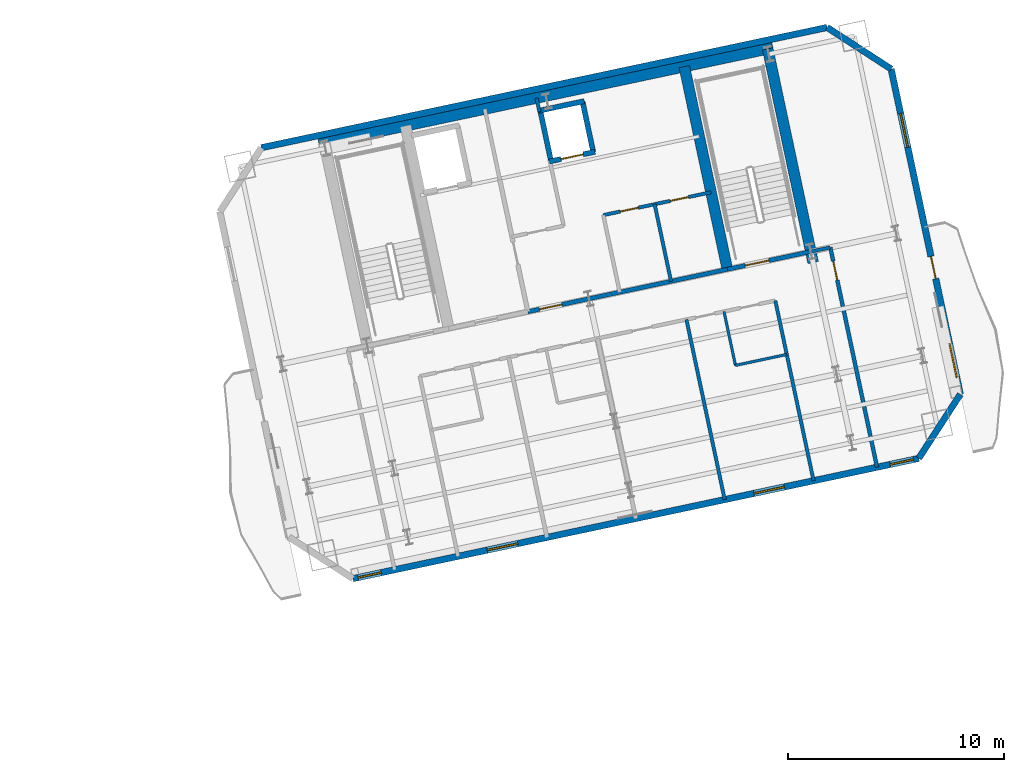
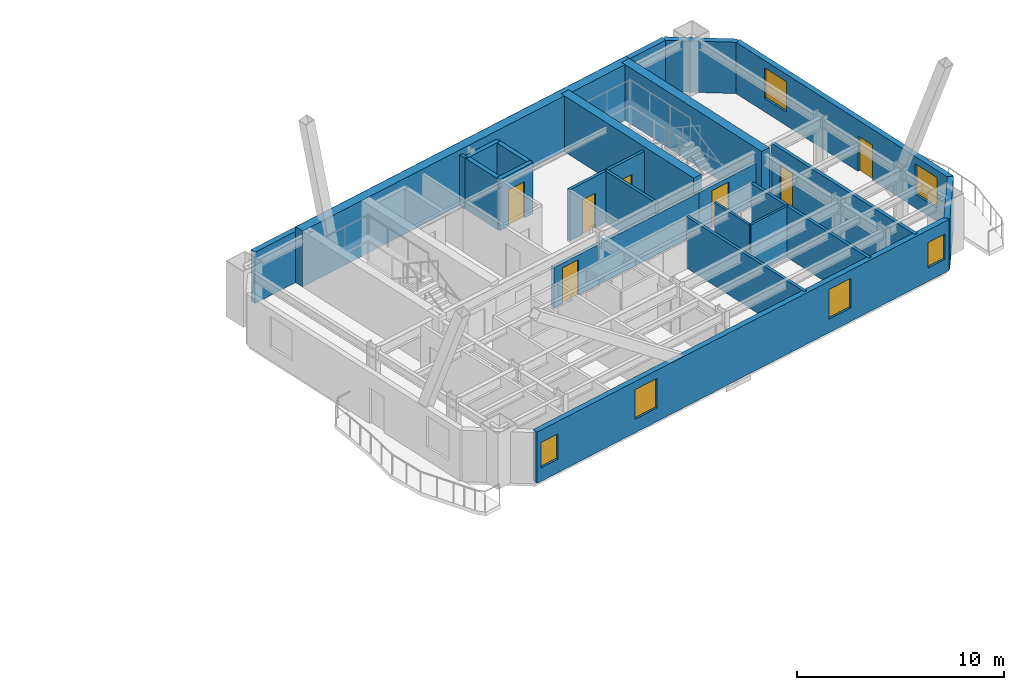
# One storey, part 8 of 13: 23 walls, 7 doors, 6 windows, 13 openings.
"""IFC4 building model written with IfcOpenShell, lengths in metres."""

from ifc_helpers import new_model, si_unit, direction, frame, frame_2d, origin, place, context, subcontext, project, spatial, rectangle, extrude, material, layer, layer_set, type_object, element, fill, save


model = new_model("IFC4")

# Units and contexts
model_context = context("Model", 3, precision=1e-05, world=origin(), true_north=direction((0.0, 1.0)))
body_context = subcontext(model_context, "Body", "Model", "MODEL_VIEW")
ifc_project = project(units=[si_unit("LENGTHUNIT", "METRE"), si_unit("AREAUNIT", "SQUARE_METRE"), si_unit("VOLUMEUNIT", "CUBIC_METRE"), si_unit("PLANEANGLEUNIT", "RADIAN"), si_unit("MASSUNIT", "GRAM", prefix="KILO")], contexts=[model_context])

# Site, building, storey
site_placement = place(None, origin())
site = spatial("IfcSite", under=ifc_project, at=site_placement, CompositionType="ELEMENT")
building_placement = place(site_placement, origin())
building = spatial("IfcBuilding", under=site, at=building_placement, Name="Haevon Station Towers", CompositionType="ELEMENT")
storey_placement = place(building_placement, frame((0.0, 0.0, 165.89990234375)))
storey = spatial("IfcBuildingStorey", under=building, at=storey_placement, Name="L45", CompositionType="ELEMENT", Elevation=165.89990234375)

# Wall, opening, door
ifc_material_1 = material(Name="Gypsum board on steel stud", Category="steel")
ifc_layer_1 = layer(ifc_material_1, 0.179931640625)
ifc_layer_set_1 = layer_set([ifc_layer_1], Name="Gypsum board on steel stud")
wall_type_1 = type_object("IfcWallType", Name="WL-ACU180", PredefinedType="PARTITIONING", material=ifc_layer_set_1)
wall_1_placement = place(storey_placement, frame((122.362548828125, 31.818359375, 0.0), z_axis=(0.0, 0.0, 1.0), x_axis=(-0.207904755642, 0.978149074825, 0.0)))
wall_1 = element("IfcWall", 1, at=wall_1_placement, inside=storey, type_object=wall_type_1, Name="WL-T2PT-L45-06", PredefinedType="PARTITIONING", context=body_context, shape_type="SweptSolid", body=[
    extrude(rectangle(XDim=10.41015625, YDim=0.179931640625, at=frame_2d((5.205078125, 0.0))), origin(), (0.0, 0.0, 1.0), 3.030029296875),
])
opening_1_placement = place(wall_1_placement, frame((8.85009765625, 0.0, 0.0)))
opening_1 = element("IfcOpeningElement", 2, at=opening_1_placement, cuts=wall_1, Name="Opening DR-WL-T2PT-L45-06-01", PredefinedType="OPENING", context=body_context, shape_type="SweptSolid", body=[
    extrude(rectangle(XDim=0.89990234375, YDim=2.050048828125, at=frame_2d((0.449951171875, 1.02490234375))), frame((0.0, 0.099853515625, 0.0), z_axis=(0.0, -1.0, 0.0), x_axis=(1.0, 0.0, 0.0)), (0.0, 0.0, 1.0), 0.199951171875),
])
ifc_material_2 = material(Name="Engineered oak timber", Category="wood")
door_type_1 = type_object("IfcDoorType", Name="DR-INT-900", OperationType="NOTDEFINED", PredefinedType="DOOR", material=ifc_material_2)
door_1_placement = place(opening_1_placement, origin())
door_1 = element("IfcDoor", 3, at=door_1_placement, inside=storey, type_object=door_type_1, Name="L45 Tower 2 Room Door 6-1", OperationType="SINGLE_SWING_LEFT", OverallHeight=2.050048828125, OverallWidth=0.89990234375, PredefinedType="DOOR", context=body_context, shape_type="SweptSolid", body=[
    extrude(rectangle(XDim=0.89990234375, YDim=2.050048828125, at=frame_2d((0.449951171875, 1.02490234375))), frame((0.0, 0.02490234375, 0.0), z_axis=(0.0, -1.0, 0.0), x_axis=(1.0, 0.0, 0.0)), (0.0, 0.0, 1.0), 0.050048828125),
])
fill(opening_1, door_1)

ifc_layer_2 = layer(ifc_material_1, 0.199951171875)
ifc_layer_set_2 = layer_set([ifc_layer_2], Name="Gypsum board on steel stud")
wall_type_2 = type_object("IfcWallType", Name="WL-COR200", PredefinedType="PARTITIONING", material=ifc_layer_set_2)
wall_2_placement = place(storey_placement, frame((115.4296875, 40.9873046875, 0.0), z_axis=(0.0, 0.0, 1.0), x_axis=(0.978146596989, 0.207916413008, 0.0)))
wall_2 = element("IfcWall", 4, at=wall_2_placement, inside=storey, type_object=wall_type_2, Name="WL-ST-ST4-L45", PredefinedType="PARTITIONING", context=body_context, shape_type="SweptSolid", body=[
    extrude(rectangle(XDim=3.9501953125, YDim=0.199951171875, at=frame_2d((1.97509765625, 0.0))), origin(), (0.0, 0.0, 1.0), 2.380126953125),
])
opening_2_placement = place(wall_2_placement, frame((0.85009765625, 0.0, 0.0)))
opening_2 = element("IfcOpeningElement", 5, at=opening_2_placement, cuts=wall_2, Name="Opening DR-ST-ST4-L45", PredefinedType="OPENING", context=body_context, shape_type="SweptSolid", body=[
    extrude(rectangle(XDim=1.1201171875, YDim=2.10009765625, at=frame_2d((0.56005859375, 1.050048828125))), frame((0.0, 0.10986328125, 0.0), z_axis=(0.0, -1.0, 0.0), x_axis=(1.0, 0.0, 0.0)), (0.0, 0.0, 1.0), 0.219970703125),
])
door_type_2 = type_object("IfcDoorType", Name="DR-ST-1120", OperationType="NOTDEFINED", PredefinedType="DOOR", material=ifc_material_2)
door_2_placement = place(opening_2_placement, origin())
door_2 = element("IfcDoor", 6, at=door_2_placement, inside=storey, type_object=door_type_2, Name="L45 Escape Stair ST4 Fire Door", OperationType="SINGLE_SWING_RIGHT", OverallHeight=2.10009765625, OverallWidth=1.1201171875, PredefinedType="DOOR", context=body_context, shape_type="SweptSolid", body=[
    extrude(rectangle(XDim=1.1201171875, YDim=2.10009765625, at=frame_2d((0.56005859375, 1.050048828125))), frame((0.0, 0.02490234375, 0.0), z_axis=(0.0, -1.0, 0.0), x_axis=(1.0, 0.0, 0.0)), (0.0, 0.0, 1.0), 0.050048828125),
])
fill(opening_2, door_2)

wall_3_placement = place(storey_placement, frame((106.186279296875, 39.0224609375, 0.0), z_axis=(0.0, 0.0, 1.0), x_axis=(0.978145519981, 0.20792147975, 0.0)))
wall_3 = element("IfcWall", 7, at=wall_3_placement, inside=storey, type_object=wall_type_2, Name="WL-T2CLB-L45", PredefinedType="PARTITIONING", context=body_context, shape_type="SweptSolid", body=[
    extrude(rectangle(XDim=9.449951171875, YDim=0.199951171875, at=frame_2d((4.72509765625, 0.0))), origin(), (0.0, 0.0, 1.0), 2.380126953125),
])
opening_3_placement = place(wall_3_placement, frame((0.550048828125, 0.0, 0.0)))
opening_3 = element("IfcOpeningElement", 8, at=opening_3_placement, cuts=wall_3, Name="Opening DR-T2CLB-L45-1", PredefinedType="OPENING", context=body_context, shape_type="SweptSolid", body=[
    extrude(rectangle(XDim=1.050048828125, YDim=2.10009765625, at=frame_2d((0.52490234375, 1.050048828125))), frame((0.0, 0.10986328125, 0.0), z_axis=(0.0, -1.0, 0.0), x_axis=(1.0, 0.0, 0.0)), (0.0, 0.0, 1.0), 0.219970703125),
])
door_type_3 = type_object("IfcDoorType", Name="DR-FD60-1050", OperationType="NOTDEFINED", PredefinedType="DOOR", material=ifc_material_2)
door_3_placement = place(opening_3_placement, origin())
door_3 = element("IfcDoor", 9, at=door_3_placement, inside=storey, type_object=door_type_3, Name="L45 Tower 2 Core Lift Lobby Door 1", OperationType="SINGLE_SWING_LEFT", OverallHeight=2.10009765625, OverallWidth=1.050048828125, PredefinedType="DOOR", context=body_context, shape_type="SweptSolid", body=[
    extrude(rectangle(XDim=1.050048828125, YDim=2.10009765625, at=frame_2d((0.52490234375, 1.050048828125))), frame((0.0, 0.02490234375, 0.0), z_axis=(0.0, -1.0, 0.0), x_axis=(1.0, 0.0, 0.0)), (0.0, 0.0, 1.0), 0.050048828125),
])
fill(opening_3, door_3)

# Walls
ifc_material_3 = material(Name="Concrete C60/75", Category="concrete")
ifc_layer_3 = layer(ifc_material_3, 0.5)
ifc_layer_set_3 = layer_set([ifc_layer_3], Name="Concrete C60/75")
wall_type_3 = type_object("IfcWallType", Name="WL-CR500", PredefinedType="SHEAR", material=ifc_layer_set_3)
wall_4_placement = place(storey_placement, frame((96.511962890625, 46.78076171875, 0.0), z_axis=(0.0, 0.0, 1.0), x_axis=(0.978148546782, 0.207907239961, 0.0)))
element("IfcWall", 10, at=wall_4_placement, inside=storey, type_object=wall_type_3, Name="WL-T2CR-L45-N", PredefinedType="SHEAR", context=body_context, shape_type="SweptSolid", body=[
    extrude(rectangle(XDim=21.499755859375, YDim=0.5, at=frame_2d((10.75, 0.0))), origin(), (0.0, 0.0, 1.0), 3.300048828125),
])
wall_5_placement = place(storey_placement, frame((119.401611328125, 41.2998046875, 0.0), z_axis=(0.0, 0.0, 1.0), x_axis=(-0.207904342798, 0.978149162575, 0.0)))
element("IfcWall", 11, at=wall_5_placement, inside=storey, type_object=wall_type_3, Name="WL-T2CR-L45-E", PredefinedType="SHEAR", context=body_context, shape_type="SweptSolid", body=[
    extrude(rectangle(XDim=10.1201171875, YDim=0.5, at=frame_2d((5.06005859375, 0.0))), origin(), (0.0, 0.0, 1.0), 3.300048828125),
])
wall_6_placement = place(storey_placement, frame((115.4296875, 40.9873046875, 0.0), z_axis=(0.0, 0.0, 1.0), x_axis=(-0.207903162969, 0.978149413345, 0.0)))
element("IfcWall", 12, at=wall_6_placement, inside=storey, type_object=wall_type_3, Name="WL-T2CR-L45-M2", PredefinedType="SHEAR", context=body_context, shape_type="SweptSolid", body=[
    extrude(rectangle(XDim=9.599853515625, YDim=0.5, at=frame_2d((4.7998046875, 0.0))), origin(), (0.0, 0.0, 1.0), 3.300048828125),
])

# Wall, openings, windows
ifc_material_4 = material(Name="Precast concrete C45/55", Category="concrete")
ifc_layer_4 = layer(ifc_material_4, 0.300048828125)
ifc_layer_set_4 = layer_set([ifc_layer_4], Name="Precast concrete C45/55")
wall_type_4 = type_object("IfcWallType", Name="WL-EXT-PIER300", PredefinedType="SOLIDWALL", material=ifc_layer_set_4)
wall_7_placement = place(storey_placement, frame((124.29443359375, 32.22900390625, 0.0), z_axis=(0.0, 0.0, 1.0), x_axis=(-0.978147690128, -0.20791127025, 0.0)))
wall_7 = element("IfcWall", 13, at=wall_7_placement, inside=storey, type_object=wall_type_4, Name="WL-T2-L45-S", PredefinedType="SOLIDWALL", context=body_context, shape_type="SweptSolid", body=[
    extrude(rectangle(XDim=26.800048828125, YDim=0.300048828125, at=frame_2d((13.39990234375, 0.0))), origin(), (0.0, 0.0, 1.0), 3.030029296875),
])
opening_4_placement = place(wall_7_placement, frame((25.449951171875, 0.0, 0.800048828125)))
opening_4 = element("IfcOpeningElement", 14, at=opening_4_placement, cuts=wall_7, Name="Opening WN-COR110", PredefinedType="OPENING", context=body_context, shape_type="SweptSolid", body=[
    extrude(rectangle(XDim=1.10009765625, YDim=1.5, at=frame_2d((0.550048828125, 0.75))), frame((0.0, 0.159912109375, 0.0), z_axis=(0.0, -1.0, 0.0), x_axis=(1.0, 0.0, 0.0)), (0.0, 0.0, 1.0), 0.320068359375),
])
opening_5_placement = place(wall_7_placement, frame((0.25, 0.0, 0.800048828125)))
opening_5 = element("IfcOpeningElement", 15, at=opening_5_placement, cuts=wall_7, Name="Opening WN-COR110", PredefinedType="OPENING", context=body_context, shape_type="SweptSolid", body=[
    extrude(rectangle(XDim=1.10009765625, YDim=1.5, at=frame_2d((0.550048828125, 0.75))), frame((0.0, 0.159912109375, 0.0), z_axis=(0.0, -1.0, 0.0), x_axis=(1.0, 0.0, 0.0)), (0.0, 0.0, 1.0), 0.320068359375),
])
opening_6_placement = place(wall_7_placement, frame((18.989990234375, 0.0, 0.800048828125)))
opening_6 = element("IfcOpeningElement", 16, at=opening_6_placement, cuts=wall_7, Name="Opening WN-P145", PredefinedType="OPENING", context=body_context, shape_type="SweptSolid", body=[
    extrude(rectangle(XDim=1.449951171875, YDim=1.75, at=frame_2d((0.72509765625, 0.875))), frame((0.0, 0.159912109375, 0.0), z_axis=(0.0, -1.0, 0.0), x_axis=(1.0, 0.0, 0.0)), (0.0, 0.0, 1.0), 0.320068359375),
])
opening_7_placement = place(wall_7_placement, frame((6.360107421875, 0.0, 0.800048828125)))
opening_7 = element("IfcOpeningElement", 17, at=opening_7_placement, cuts=wall_7, Name="Opening WN-P145", PredefinedType="OPENING", context=body_context, shape_type="SweptSolid", body=[
    extrude(rectangle(XDim=1.449951171875, YDim=1.75, at=frame_2d((0.72509765625, 0.875))), frame((0.0, 0.159912109375, 0.0), z_axis=(0.0, -1.0, 0.0), x_axis=(1.0, 0.0, 0.0)), (0.0, 0.0, 1.0), 0.320068359375),
])
ifc_material_5 = material(Name="Low-E triple glazing in thermally broken aluminium", Category="aluminium")
window_type_1 = type_object("IfcWindowType", Name="WN-COR110", PartitioningType="SINGLE_PANEL", PredefinedType="WINDOW", material=ifc_material_5)
window_1_placement = place(opening_4_placement, origin())
window_1 = element("IfcWindow", 18, at=window_1_placement, inside=storey, type_object=window_type_1, Name="WN-T2-L45-S01", OverallHeight=1.5, OverallWidth=1.10009765625, PartitioningType="SINGLE_PANEL", PredefinedType="WINDOW", context=body_context, shape_type="SweptSolid", body=[
    extrude(rectangle(XDim=1.10009765625, YDim=1.5, at=frame_2d((0.550048828125, 0.75))), frame((0.0, 0.030029296875, 0.0), z_axis=(0.0, -1.0, 0.0), x_axis=(1.0, 0.0, 0.0)), (0.0, 0.0, 1.0), 0.06005859375),
])
fill(opening_4, window_1)
window_2_placement = place(opening_5_placement, origin())
window_2 = element("IfcWindow", 19, at=window_2_placement, inside=storey, type_object=window_type_1, Name="WN-T2-L45-S02", OverallHeight=1.5, OverallWidth=1.10009765625, PartitioningType="SINGLE_PANEL", PredefinedType="WINDOW", context=body_context, shape_type="SweptSolid", body=[
    extrude(rectangle(XDim=1.10009765625, YDim=1.5, at=frame_2d((0.550048828125, 0.75))), frame((0.0, 0.030029296875, 0.0), z_axis=(0.0, -1.0, 0.0), x_axis=(1.0, 0.0, 0.0)), (0.0, 0.0, 1.0), 0.06005859375),
])
fill(opening_5, window_2)
window_type_2 = type_object("IfcWindowType", Name="WN-P145", PartitioningType="SINGLE_PANEL", PredefinedType="WINDOW", material=ifc_material_5)
window_3_placement = place(opening_6_placement, origin())
window_3 = element("IfcWindow", 20, at=window_3_placement, inside=storey, type_object=window_type_2, Name="WN-T2-L45-S03", OverallHeight=1.75, OverallWidth=1.449951171875, PartitioningType="SINGLE_PANEL", PredefinedType="WINDOW", context=body_context, shape_type="SweptSolid", body=[
    extrude(rectangle(XDim=1.449951171875, YDim=1.75, at=frame_2d((0.72509765625, 0.875))), frame((0.0, 0.030029296875, 0.0), z_axis=(0.0, -1.0, 0.0), x_axis=(1.0, 0.0, 0.0)), (0.0, 0.0, 1.0), 0.06005859375),
])
fill(opening_6, window_3)
window_4_placement = place(opening_7_placement, origin())
window_4 = element("IfcWindow", 21, at=window_4_placement, inside=storey, type_object=window_type_2, Name="WN-T2-L45-S04", OverallHeight=1.75, OverallWidth=1.449951171875, PartitioningType="SINGLE_PANEL", PredefinedType="WINDOW", context=body_context, shape_type="SweptSolid", body=[
    extrude(rectangle(XDim=1.449951171875, YDim=1.75, at=frame_2d((0.72509765625, 0.875))), frame((0.0, 0.030029296875, 0.0), z_axis=(0.0, -1.0, 0.0), x_axis=(1.0, 0.0, 0.0)), (0.0, 0.0, 1.0), 0.06005859375),
])
fill(opening_7, window_4)

# Walls
wall_8_placement = place(storey_placement, frame((93.836669921875, 46.620849609375, 0.0), z_axis=(0.0, 0.0, 1.0), x_axis=(0.978147690128, 0.20791127025, 0.0)))
element("IfcWall", 22, at=wall_8_placement, inside=storey, type_object=wall_type_4, Name="WL-T2-L45-N", PredefinedType="SOLIDWALL", context=body_context, shape_type="SweptSolid", body=[
    extrude(rectangle(XDim=26.800048828125, YDim=0.300048828125, at=frame_2d((13.39990234375, 0.0))), origin(), (0.0, 0.0, 1.0), 3.030029296875),
])
wall_9_placement = place(storey_placement, frame((120.051025390625, 52.19287109375, 0.0), z_axis=(0.0, 0.0, 1.0), x_axis=(0.838672309694, -0.544636352948, 0.0)))
element("IfcWall", 23, at=wall_9_placement, inside=storey, type_object=wall_type_4, Name="WL-T2-L45-NEC", PredefinedType="SOLIDWALL", context=body_context, shape_type="SweptSolid", body=[
    extrude(rectangle(XDim=3.535400390625, YDim=0.300048828125, at=frame_2d((1.767578125, 0.0))), origin(), (0.0, 0.0, 1.0), 3.030029296875),
])

# Wall, openings, door, windows
wall_10_placement = place(storey_placement, frame((123.01611328125, 50.267333984375, 0.0), z_axis=(0.0, 0.0, 1.0), x_axis=(0.207908020757, -0.978148380822, 0.0)))
wall_10 = element("IfcWall", 24, at=wall_10_placement, inside=storey, type_object=wall_type_4, Name="WL-T2-L45-E", PredefinedType="SOLIDWALL", context=body_context, shape_type="SweptSolid", body=[
    extrude(rectangle(XDim=15.409912109375, YDim=0.300048828125, at=frame_2d((7.705078125, 0.0))), origin(), (0.0, 0.0, 1.0), 3.030029296875),
])
opening_8_placement = place(wall_10_placement, frame((8.8798828125, 0.0, 0.0)))
opening_8 = element("IfcOpeningElement", 25, at=opening_8_placement, cuts=wall_10, Name="Opening DR-T2-SCAL-L45-E", PredefinedType="OPENING", context=body_context, shape_type="SweptSolid", body=[
    extrude(rectangle(XDim=1.050048828125, YDim=2.10009765625, at=frame_2d((0.52490234375, 1.050048828125))), frame((0.0, 0.159912109375, 0.0), z_axis=(0.0, -1.0, 0.0), x_axis=(1.0, 0.0, 0.0)), (0.0, 0.0, 1.0), 0.320068359375),
])
opening_9_placement = place(wall_10_placement, frame((2.108154296875, 0.0, 0.800048828125)))
opening_9 = element("IfcOpeningElement", 26, at=opening_9_placement, cuts=wall_10, Name="Opening WN-END160", PredefinedType="OPENING", context=body_context, shape_type="SweptSolid", body=[
    extrude(rectangle(XDim=1.60009765625, YDim=1.800048828125, at=frame_2d((0.800048828125, 0.89990234375))), frame((0.0, 0.159912109375, 0.0), z_axis=(0.0, -1.0, 0.0), x_axis=(1.0, 0.0, 0.0)), (0.0, 0.0, 1.0), 0.320068359375),
])
opening_10_placement = place(wall_10_placement, frame((13.010009765625, 0.0, 0.800048828125)))
opening_10 = element("IfcOpeningElement", 27, at=opening_10_placement, cuts=wall_10, Name="Opening WN-END160", PredefinedType="OPENING", context=body_context, shape_type="SweptSolid", body=[
    extrude(rectangle(XDim=1.60009765625, YDim=1.800048828125, at=frame_2d((0.800048828125, 0.89990234375))), frame((0.0, 0.159912109375, 0.0), z_axis=(0.0, -1.0, 0.0), x_axis=(1.0, 0.0, 0.0)), (0.0, 0.0, 1.0), 0.320068359375),
])
ifc_material_6 = material(Name="Thermally broken anodised aluminium and laminated safety glass", Category="aluminium")
door_type_4 = type_object("IfcDoorType", Name="DR-BALC-1050", OperationType="NOTDEFINED", PredefinedType="DOOR", material=ifc_material_6)
door_4_placement = place(opening_8_placement, origin())
door_4 = element("IfcDoor", 28, at=door_4_placement, inside=storey, type_object=door_type_4, Name="Tower 2 L45 East Scalloped Balcony Door", OperationType="SINGLE_SWING_RIGHT", OverallHeight=2.10009765625, OverallWidth=1.050048828125, PredefinedType="DOOR", context=body_context, shape_type="SweptSolid", body=[
    extrude(rectangle(XDim=1.050048828125, YDim=2.10009765625, at=frame_2d((0.52490234375, 1.050048828125))), frame((0.0, 0.02490234375, 0.0), z_axis=(0.0, -1.0, 0.0), x_axis=(1.0, 0.0, 0.0)), (0.0, 0.0, 1.0), 0.050048828125),
])
fill(opening_8, door_4)
window_type_3 = type_object("IfcWindowType", Name="WN-END160", PartitioningType="SINGLE_PANEL", PredefinedType="WINDOW", material=ifc_material_5)
window_5_placement = place(opening_9_placement, origin())
window_5 = element("IfcWindow", 29, at=window_5_placement, inside=storey, type_object=window_type_3, Name="WN-T2-L45-E01", OverallHeight=1.800048828125, OverallWidth=1.60009765625, PartitioningType="SINGLE_PANEL", PredefinedType="WINDOW", context=body_context, shape_type="SweptSolid", body=[
    extrude(rectangle(XDim=1.60009765625, YDim=1.800048828125, at=frame_2d((0.800048828125, 0.89990234375))), frame((0.0, 0.030029296875, 0.0), z_axis=(0.0, -1.0, 0.0), x_axis=(1.0, 0.0, 0.0)), (0.0, 0.0, 1.0), 0.06005859375),
])
fill(opening_9, window_5)
window_6_placement = place(opening_10_placement, origin())
window_6 = element("IfcWindow", 30, at=window_6_placement, inside=storey, type_object=window_type_3, Name="WN-T2-L45-E02", OverallHeight=1.800048828125, OverallWidth=1.60009765625, PartitioningType="SINGLE_PANEL", PredefinedType="WINDOW", context=body_context, shape_type="SweptSolid", body=[
    extrude(rectangle(XDim=1.60009765625, YDim=1.800048828125, at=frame_2d((0.800048828125, 0.89990234375))), frame((0.0, 0.030029296875, 0.0), z_axis=(0.0, -1.0, 0.0), x_axis=(1.0, 0.0, 0.0)), (0.0, 0.0, 1.0), 0.06005859375),
])
fill(opening_10, window_6)

# Walls
wall_11_placement = place(storey_placement, frame((126.219970703125, 35.194091796875, 0.0), z_axis=(0.0, 0.0, 1.0), x_axis=(-0.544636352948, -0.838672309694, 0.0)))
element("IfcWall", 31, at=wall_11_placement, inside=storey, type_object=wall_type_4, Name="WL-T2-L45-SEC", PredefinedType="SOLIDWALL", context=body_context, shape_type="SweptSolid", body=[
    extrude(rectangle(XDim=3.535400390625, YDim=0.300048828125, at=frame_2d((1.767578125, 0.0))), origin(), (0.0, 0.0, 1.0), 3.030029296875),
])
ifc_layer_5 = layer(ifc_material_1, 0.125)
ifc_layer_set_5 = layer_set([ifc_layer_5], Name="Gypsum board on steel stud")
wall_type_5 = type_object("IfcWallType", Name="WL-PRT125", PredefinedType="PARTITIONING", material=ifc_layer_set_5)
wall_12_placement = place(storey_placement, frame((115.802978515625, 36.53759765625, 0.0), z_axis=(0.0, 0.0, 1.0), x_axis=(0.978136375918, 0.207964492415, 0.0)))
element("IfcWall", 32, at=wall_12_placement, inside=storey, type_object=wall_type_5, Name="WL-T2PT-L45-14", PredefinedType="PARTITIONING", context=body_context, shape_type="SweptSolid", body=[
    extrude(rectangle(XDim=2.43017578125, YDim=0.125, at=frame_2d((1.215087890625, 0.0))), origin(), (0.0, 0.0, 1.0), 3.030029296875),
])
wall_13_placement = place(storey_placement, frame((115.802978515625, 36.53759765625, 0.0), z_axis=(0.0, 0.0, 1.0), x_axis=(-0.207848450565, 0.978161040728, 0.0)))
element("IfcWall", 33, at=wall_13_placement, inside=storey, type_object=wall_type_5, Name="WL-T2PT-L45-15", PredefinedType="PARTITIONING", context=body_context, shape_type="SweptSolid", body=[
    extrude(rectangle(XDim=2.550048828125, YDim=0.125, at=frame_2d((1.27490234375, 0.0))), origin(), (0.0, 0.0, 1.0), 3.030029296875),
])
ifc_layer_6 = layer(ifc_material_1, 0.159912109375)
ifc_layer_set_6 = layer_set([ifc_layer_6], Name="Gypsum board on steel stud")
wall_type_6 = type_object("IfcWallType", Name="WL-PRT160", PredefinedType="PARTITIONING", material=ifc_layer_set_6)
wall_14_placement = place(storey_placement, frame((106.721923828125, 48.286376953125, 0.0), z_axis=(0.0, 0.0, 1.0), x_axis=(-0.208092352933, 0.978109182377, 0.0)))
element("IfcWall", 34, at=wall_14_placement, inside=storey, type_object=wall_type_6, Name="WL-T2CW-L45-04", PredefinedType="PARTITIONING", context=body_context, shape_type="SweptSolid", body=[
    extrude(rectangle(XDim=0.64990234375, YDim=0.159912109375, at=frame_2d((0.324951171875, 0.0))), origin(), (0.0, 0.0, 1.0), 3.030029296875),
])
wall_15_placement = place(storey_placement, frame((112.818115234375, 40.43212890625, 0.0), z_axis=(0.0, 0.0, 1.0), x_axis=(-0.207884354546, 0.978153410838, 0.0)))
element("IfcWall", 35, at=wall_15_placement, inside=storey, type_object=wall_type_6, Name="WL-T2CW-L45-06", PredefinedType="PARTITIONING", context=body_context, shape_type="SweptSolid", body=[
    extrude(rectangle(XDim=3.650146484375, YDim=0.159912109375, at=frame_2d((1.8251953125, 0.0))), origin(), (0.0, 0.0, 1.0), 3.030029296875),
])

# Wall, openings, doors
wall_16_placement = place(storey_placement, frame((109.682373046875, 43.497314453125, 0.0), z_axis=(0.0, 0.0, 1.0), x_axis=(0.978149238447, 0.207903985835, 0.0)))
wall_16 = element("IfcWall", 36, at=wall_16_placement, inside=storey, type_object=wall_type_6, Name="WL-T2CW-L45-07", PredefinedType="PARTITIONING", context=body_context, shape_type="SweptSolid", body=[
    extrude(rectangle(XDim=5.099853515625, YDim=0.159912109375, at=frame_2d((2.5498046875, 0.0))), origin(), (0.0, 0.0, 1.0), 3.030029296875),
])
opening_11_placement = place(wall_16_placement, frame((0.81005859375, 0.0, 0.0)))
opening_11 = element("IfcOpeningElement", 37, at=opening_11_placement, cuts=wall_16, Name="Opening DR-WL-T2CW-L45-07-1", PredefinedType="OPENING", context=body_context, shape_type="SweptSolid", body=[
    extrude(rectangle(XDim=0.85009765625, YDim=2.050048828125, at=frame_2d((0.425048828125, 1.02490234375))), frame((0.0, 0.08984375, 0.0), z_axis=(0.0, -1.0, 0.0), x_axis=(1.0, 0.0, 0.0)), (0.0, 0.0, 1.0), 0.179931640625),
])
opening_12_placement = place(wall_16_placement, frame((3.179931640625, 0.0, 0.0)))
opening_12 = element("IfcOpeningElement", 38, at=opening_12_placement, cuts=wall_16, Name="Opening DR-WL-T2CW-L45-07-2", PredefinedType="OPENING", context=body_context, shape_type="SweptSolid", body=[
    extrude(rectangle(XDim=0.85009765625, YDim=2.050048828125, at=frame_2d((0.425048828125, 1.02490234375))), frame((0.0, 0.08984375, 0.0), z_axis=(0.0, -1.0, 0.0), x_axis=(1.0, 0.0, 0.0)), (0.0, 0.0, 1.0), 0.179931640625),
])
door_type_5 = type_object("IfcDoorType", Name="DR-FD30-850", OperationType="NOTDEFINED", PredefinedType="DOOR", material=ifc_material_2)
door_5_placement = place(opening_11_placement, origin())
door_5 = element("IfcDoor", 39, at=door_5_placement, inside=storey, type_object=door_type_5, Name="L45 Tower 2 Core Room Door 7-1", OperationType="SINGLE_SWING_RIGHT", OverallHeight=2.050048828125, OverallWidth=0.85009765625, PredefinedType="DOOR", context=body_context, shape_type="SweptSolid", body=[
    extrude(rectangle(XDim=0.85009765625, YDim=2.050048828125, at=frame_2d((0.425048828125, 1.02490234375))), frame((0.0, 0.02490234375, 0.0), z_axis=(0.0, -1.0, 0.0), x_axis=(1.0, 0.0, 0.0)), (0.0, 0.0, 1.0), 0.050048828125),
])
fill(opening_11, door_5)
door_6_placement = place(opening_12_placement, origin())
door_6 = element("IfcDoor", 40, at=door_6_placement, inside=storey, type_object=door_type_5, Name="L45 Tower 2 Core Room Door 7-2", OperationType="SINGLE_SWING_LEFT", OverallHeight=2.050048828125, OverallWidth=0.85009765625, PredefinedType="DOOR", context=body_context, shape_type="SweptSolid", body=[
    extrude(rectangle(XDim=0.85009765625, YDim=2.050048828125, at=frame_2d((0.425048828125, 1.02490234375))), frame((0.0, 0.02490234375, 0.0), z_axis=(0.0, -1.0, 0.0), x_axis=(1.0, 0.0, 0.0)), (0.0, 0.0, 1.0), 0.050048828125),
])
fill(opening_12, door_6)

# Walls
wall_17_placement = place(storey_placement, frame((119.42333984375, 31.193603515625, 0.0), z_axis=(0.0, 0.0, 1.0), x_axis=(-0.207935775423, 0.978142481083, 0.0)))
element("IfcWall", 41, at=wall_17_placement, inside=storey, type_object=wall_type_6, Name="WL-T2PT-L45-02", PredefinedType="PARTITIONING", context=body_context, shape_type="SweptSolid", body=[
    extrude(rectangle(XDim=8.530029296875, YDim=0.159912109375, at=frame_2d((4.26513671875, 0.0))), origin(), (0.0, 0.0, 1.0), 3.030029296875),
])
wall_18_placement = place(storey_placement, frame((119.29345703125, 41.80859375, 0.0), z_axis=(0.0, 0.0, 1.0), x_axis=(0.978133353907, 0.20797870558, 0.0)))
element("IfcWall", 42, at=wall_18_placement, inside=storey, type_object=wall_type_6, Name="WL-T2PT-L45-04", PredefinedType="PARTITIONING", context=body_context, shape_type="SweptSolid", body=[
    extrude(rectangle(XDim=0.925048828125, YDim=0.159912109375, at=frame_2d((0.46240234375, 0.0))), origin(), (0.0, 0.0, 1.0), 2.380126953125),
])
wall_19_placement = place(storey_placement, frame((115.30517578125, 30.318359375, 0.0), z_axis=(0.0, 0.0, 1.0), x_axis=(-0.207908391118, 0.978148302101, 0.0)))
element("IfcWall", 43, at=wall_19_placement, inside=storey, type_object=wall_type_6, Name="WL-T2PT-L45-13", PredefinedType="PARTITIONING", context=body_context, shape_type="SweptSolid", body=[
    extrude(rectangle(XDim=8.52978515625, YDim=0.159912109375, at=frame_2d((4.264892578125, 0.0))), origin(), (0.0, 0.0, 1.0), 3.030029296875),
])

# Wall, opening, door
ifc_material_7 = material(Name="Concrete C40/50", Category="concrete")
ifc_layer_7 = layer(ifc_material_7, 0.239990234375)
ifc_layer_set_7 = layer_set([ifc_layer_7], Name="Concrete C40/50")
wall_type_7 = type_object("IfcWallType", Name="WL-SHF240", PredefinedType="PARTITIONING", material=ifc_layer_set_7)
wall_20_placement = place(storey_placement, frame((107.18115234375, 45.9814453125, 0.0), z_axis=(0.0, 0.0, 1.0), x_axis=(0.97813528961, 0.207969601673, 0.0)))
wall_20 = element("IfcWall", 44, at=wall_20_placement, inside=storey, type_object=wall_type_7, Name="WL-SHF-PL8-L45", PredefinedType="PARTITIONING", context=body_context, shape_type="SweptSolid", body=[
    extrude(rectangle(XDim=2.159912109375, YDim=0.239990234375, at=frame_2d((1.080078125, 0.0))), origin(), (0.0, 0.0, 1.0), 3.030029296875),
])
opening_13_placement = place(wall_20_placement, frame((0.554931640625, 0.0, 0.0)))
opening_13 = element("IfcOpeningElement", 45, at=opening_13_placement, cuts=wall_20, Name="Opening LD-PL8-L45", PredefinedType="OPENING", context=body_context, shape_type="SweptSolid", body=[
    extrude(rectangle(XDim=1.050048828125, YDim=2.14990234375, at=frame_2d((0.52490234375, 1.074951171875))), frame((0.0, 0.1298828125, 0.0), z_axis=(0.0, -1.0, 0.0), x_axis=(1.0, 0.0, 0.0)), (0.0, 0.0, 1.0), 0.260009765625),
])
ifc_material_8 = material(Name="Stainless steel and rated core", Category="steel")
door_type_6 = type_object("IfcDoorType", Name="LD-PL1050", OperationType="SLIDING_TO_LEFT", PredefinedType="DOOR", material=ifc_material_8)
door_7_placement = place(opening_13_placement, origin())
door_7 = element("IfcDoor", 46, at=door_7_placement, inside=storey, type_object=door_type_6, Name="L45 Lift PL8 Sliding Landing Door", OperationType="SLIDING_TO_LEFT", OverallHeight=2.14990234375, OverallWidth=1.050048828125, PredefinedType="DOOR", context=body_context, shape_type="SweptSolid", body=[
    extrude(rectangle(XDim=1.050048828125, YDim=2.14990234375, at=frame_2d((0.52490234375, 1.074951171875))), frame((0.0, 0.02490234375, 0.0), z_axis=(0.0, -1.0, 0.0), x_axis=(1.0, 0.0, 0.0)), (0.0, 0.0, 1.0), 0.050048828125),
])
fill(opening_13, door_7)

# Walls
wall_21_placement = place(storey_placement, frame((106.68212890625, 48.3291015625, 0.0), z_axis=(0.0, 0.0, 1.0), x_axis=(0.978158276388, 0.207861459473, 0.0)))
element("IfcWall", 47, at=wall_21_placement, inside=storey, type_object=wall_type_7, Name="WL-SHF-PL8-L45-N", PredefinedType="PARTITIONING", context=body_context, shape_type="SweptSolid", body=[
    extrude(rectangle(XDim=2.159912109375, YDim=0.239990234375, at=frame_2d((1.080078125, 0.0))), origin(), (0.0, 0.0, 1.0), 3.030029296875),
])
for number, where, z_axis, x_axis, name in (
    (48, (107.259521484375, 45.998046875, 0.0), (0.0, 0.0, 1.0), (-0.207917150959, 0.978146440129, 0.0), "WL-SHF-PL8-L45-W"),
    (49, (109.2158203125, 46.413818359375, 0.0), (0.0, 0.0, 1.0), (-0.207917150959, 0.978146440129, 0.0), "WL-SHF-PL8-L45-E"),
):
    element("IfcWall", number, at=place(storey_placement, frame(where, z_axis=z_axis, x_axis=x_axis)), inside=storey, type_object=wall_type_7, Name=name, PredefinedType="PARTITIONING", context=body_context, shape_type="SweptSolid", body=[
        extrude(rectangle(XDim=2.400146484375, YDim=0.239990234375, at=frame_2d((1.2001953125, 0.0))), origin(), (0.0, 0.0, 1.0), 3.030029296875),
    ])

save(model, "model.ifc")
